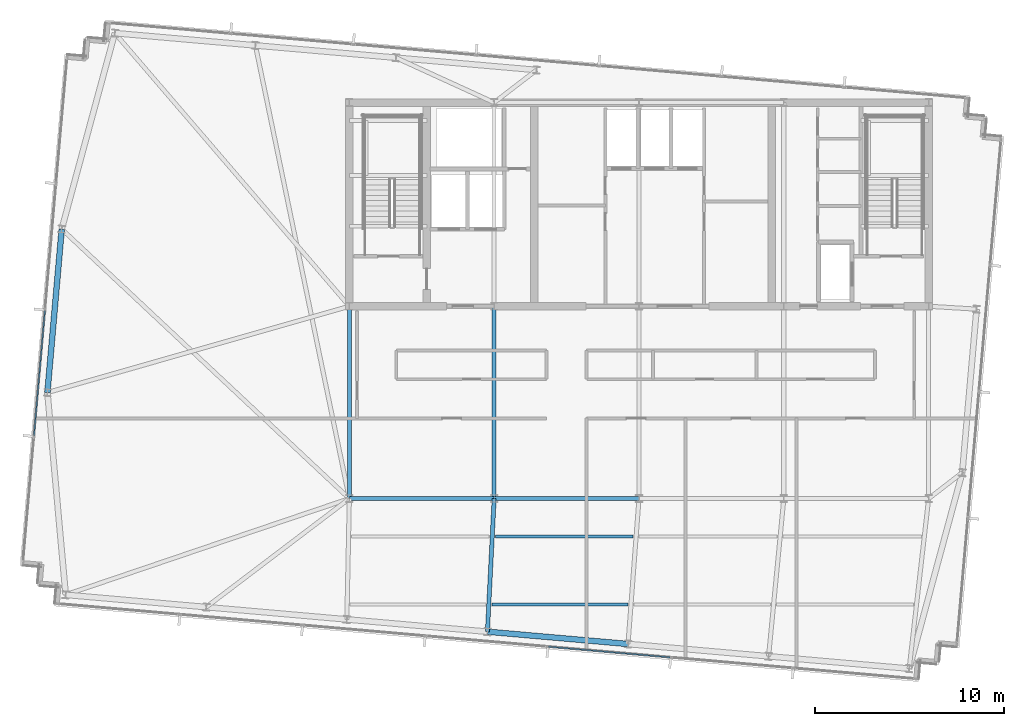
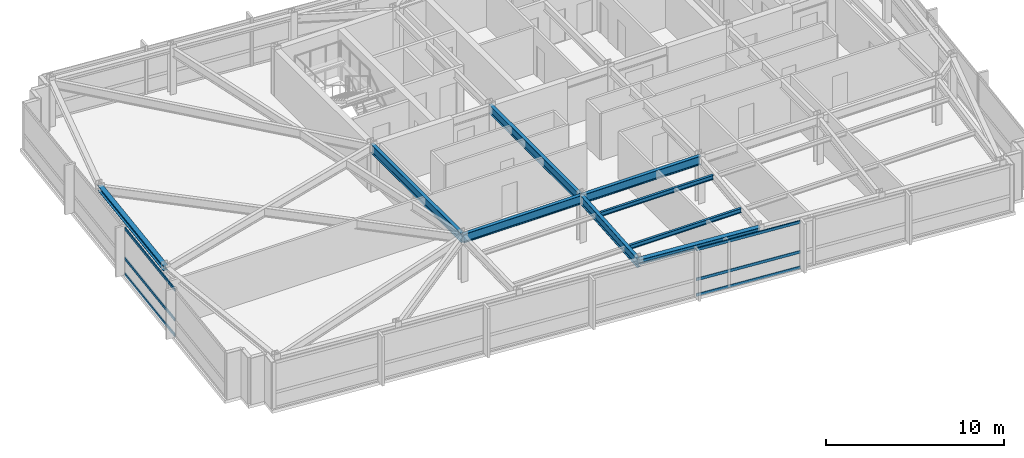
# One storey, part 5 of 24: 9 beams, 6 members, 2 elements without a shape of their own.
"""IFC4 building model written with IfcOpenShell, lengths in metres."""

from ifc_helpers import new_model, si_unit, direction, frame, origin, origin_2d, place, context, subcontext, project, spatial, hollow_rectangle, i_section, extrude, material, material_profile, profile_set, type_object, element, aggregate, save


model = new_model("IFC4")

# Units and contexts
model_context = context("Model", 3, precision=1e-05, world=origin(), true_north=direction((0.0, 1.0)))
body_context = subcontext(model_context, "Body", "Model", "MODEL_VIEW")
ifc_project = project(units=[si_unit("LENGTHUNIT", "METRE"), si_unit("AREAUNIT", "SQUARE_METRE"), si_unit("VOLUMEUNIT", "CUBIC_METRE"), si_unit("PLANEANGLEUNIT", "RADIAN"), si_unit("MASSUNIT", "GRAM", prefix="KILO")], contexts=[model_context])

# Site, building, storey
site_placement = place(None, origin())
site = spatial("IfcSite", under=ifc_project, at=site_placement, CompositionType="ELEMENT")
building_placement = place(site_placement, origin())
building = spatial("IfcBuilding", under=site, at=building_placement, Name="Yelkora Congress Tower", CompositionType="ELEMENT")
storey_placement = place(building_placement, frame((0.0, 0.0, 296.5)))
storey = spatial("IfcBuildingStorey", under=building, at=storey_placement, Name="L83", CompositionType="ELEMENT", Elevation=296.5)

# Beams
ifc_material_1 = material(Name="Steel S355J2", Category="steel")
ifc_material_profile_1 = material_profile(ifc_material_1, i_section(OverallWidth=0.219970703125, OverallDepth=0.60009765625, WebThickness=0.011962890625, FlangeThickness=0.01904296875, FilletRadius=0.02392578125, at=origin_2d()), Name="IPE 600")
ifc_profile_set_1 = profile_set([ifc_material_profile_1], Name="Steel S355J2")
beam_type_1 = type_object("IfcBeamType", Name="BM-GIRD-IPE600", PredefinedType="BEAM", material=ifc_profile_set_1)
for number, where, z_axis, x_axis, name in (
    (1, (23.0400390625, 25.199951171875, 2.8798828125), (1.0, 0.0, 0.0), (0.0, 1.0, 0.0), "L83 Spine Grid D Girder 1"),
    (2, (30.719970703125, 25.199951171875, 2.8798828125), (1.0, 0.0, 0.0), (0.0, 1.0, 0.0), "L83 Spine Grid D Girder 2"),
):
    element("IfcBeam", number, at=place(storey_placement, frame(where, z_axis=z_axis, x_axis=x_axis)), inside=storey, type_object=beam_type_1, Name=name, PredefinedType="BEAM", context=body_context, shape_type="SweptSolid", body=[
        extrude(i_section(OverallWidth=0.219970703125, OverallDepth=0.60009765625, WebThickness=0.011962890625, FlangeThickness=0.01904296875, FilletRadius=0.02392578125, at=origin_2d()), origin(), (0.0, 0.0, 1.0), 7.679931640625),
    ])
for number, where, z_axis, x_axis, name in (
    (3, (23.0400390625, 25.199951171875, 2.8798828125), (0.0, 1.0, 0.0), (-1.0, 0.0, 0.0), "L83 Core Tie Girder MC-D1"),
    (4, (30.719970703125, 25.199951171875, 2.8798828125), (0.0, 1.0, 0.0), (-1.0, 0.0, 0.0), "L83 Core Tie Girder MC-D2"),
):
    element("IfcBeam", number, at=place(storey_placement, frame(where, z_axis=z_axis, x_axis=x_axis)), inside=storey, type_object=beam_type_1, Name=name, PredefinedType="BEAM", context=body_context, shape_type="SweptSolid", body=[
        extrude(i_section(OverallWidth=0.219970703125, OverallDepth=0.60009765625, WebThickness=0.011962890625, FlangeThickness=0.01904296875, FilletRadius=0.02392578125, at=origin_2d()), origin(), (0.0, 0.0, 1.0), 10.199951171875),
    ])
beam_1_placement = place(storey_placement, frame((30.362548828125, 18.14111328125, 2.8798828125), z_axis=(0.050569876836, 0.998720525251, 0.0), x_axis=(-0.998720525251, 0.050569876836, 0.0)))
element("IfcBeam", 5, at=beam_1_placement, inside=storey, type_object=beam_type_1, Name="L83 Primary Frame Girder S04", PredefinedType="BEAM", context=body_context, shape_type="SweptSolid", body=[
    extrude(i_section(OverallWidth=0.219970703125, OverallDepth=0.60009765625, WebThickness=0.011962890625, FlangeThickness=0.01904296875, FilletRadius=0.02392578125, at=origin_2d()), origin(), (0.0, 0.0, 1.0), 7.06787109375),
])
ifc_material_profile_2 = material_profile(ifc_material_1, i_section(OverallWidth=0.14990234375, OverallDepth=0.300048828125, WebThickness=0.007080078125, FlangeThickness=0.0107421875, FilletRadius=0.014892578125, at=origin_2d()), Name="IPE 300")
ifc_profile_set_2 = profile_set([ifc_material_profile_2], Name="Steel S355J2")
beam_type_2 = type_object("IfcBeamType", Name="BM-JOIST-IPE300", PredefinedType="JOIST", material=ifc_profile_set_2)
beam_2_placement = place(storey_placement, frame((30.595703125, 19.58447265625, 3.030029296875), z_axis=(1.0, 0.0, 0.0), x_axis=(0.0, 1.0, 0.0)))
element("IfcBeam", 6, at=beam_2_placement, inside=storey, type_object=beam_type_2, Name="L83 Composite Floor Joist 2", PredefinedType="JOIST", context=body_context, shape_type="SweptSolid", body=[
    extrude(i_section(OverallWidth=0.14990234375, OverallDepth=0.300048828125, WebThickness=0.007080078125, FlangeThickness=0.0107421875, FilletRadius=0.014892578125, at=origin_2d()), origin(), (0.0, 0.0, 1.0), 7.219970703125),
])
beam_3_placement = place(storey_placement, frame((30.778076171875, 23.1845703125, 3.030029296875), z_axis=(1.0, 0.0, 0.0), x_axis=(0.0, 1.0, 0.0)))
element("IfcBeam", 7, at=beam_3_placement, inside=storey, type_object=beam_type_2, Name="L83 Composite Floor Joist 6", PredefinedType="JOIST", context=body_context, shape_type="SweptSolid", body=[
    extrude(i_section(OverallWidth=0.14990234375, OverallDepth=0.300048828125, WebThickness=0.007080078125, FlangeThickness=0.0107421875, FilletRadius=0.014892578125, at=origin_2d()), origin(), (0.0, 0.0, 1.0), 7.3095703125),
])
ifc_material_profile_3 = material_profile(ifc_material_1, i_section(OverallWidth=0.300048828125, OverallDepth=0.340087890625, WebThickness=0.011962890625, FlangeThickness=0.021484375, FilletRadius=0.027099609375, at=origin_2d()), Name="HEB 340")
ifc_profile_set_3 = profile_set([ifc_material_profile_3], Name="Steel S355J2")
beam_type_3 = type_object("IfcBeamType", Name="BM-SPAN-HEB340", PredefinedType="SPANDREL", material=ifc_profile_set_3)
beam_4_placement = place(storey_placement, frame((30.362548828125, 18.14111328125, 3.010009765625), z_axis=(0.99619601894, -0.087140644067, 0.0), x_axis=(0.087140644067, 0.99619601894, 0.0)))
element("IfcBeam", 8, at=beam_4_placement, inside=storey, type_object=beam_type_3, Name="L83 Perimeter Beam 4", PredefinedType="SPANDREL", context=body_context, shape_type="SweptSolid", body=[
    extrude(i_section(OverallWidth=0.300048828125, OverallDepth=0.340087890625, WebThickness=0.011962890625, FlangeThickness=0.021484375, FilletRadius=0.027099609375, at=origin_2d()), origin(), (0.0, 0.0, 1.0), 7.4833984375),
])
beam_5_placement = place(storey_placement, frame((7.787353515625, 39.489990234375, 3.010009765625), z_axis=(-0.08715998813, -0.99619432666, 0.0), x_axis=(0.99619432666, -0.08715998813, 0.0)))
element("IfcBeam", 9, at=beam_5_placement, inside=storey, type_object=beam_type_3, Name="L83 Perimeter Beam 14", PredefinedType="SPANDREL", context=body_context, shape_type="SweptSolid", body=[
    extrude(i_section(OverallWidth=0.300048828125, OverallDepth=0.340087890625, WebThickness=0.011962890625, FlangeThickness=0.021484375, FilletRadius=0.027099609375, at=origin_2d()), origin(), (0.0, 0.0, 1.0), 8.7001953125),
])

# Curtain wall, members
ifc_material_2 = material(Name="Anodised aluminium and insulated glass", Category="aluminium")
curtain_wall_type = type_object("IfcCurtainWallType", Name="CW-SYS-SKY", PredefinedType="NOTDEFINED", material=ifc_material_2)
curtain_wall_1_placement = place(storey_placement, origin())
curtain_wall_1 = element("IfcCurtainWall", 10, at=curtain_wall_1_placement, inside=storey, type_object=curtain_wall_type, Name="L83 Unitised Curtain Wall 5", PredefinedType="NOTDEFINED")
ifc_material_3 = material(Name="Anodised aluminium 6063-T6", Category="aluminium")
ifc_material_profile_4 = material_profile(ifc_material_3, hollow_rectangle(XDim=0.070068359375, YDim=0.18994140625, WallThickness=0.00390625, at=origin_2d()), Name="ALU 70x190x4")
ifc_profile_set_4 = profile_set([ifc_material_profile_4], Name="Anodised aluminium 6063-T6")
member_type = type_object("IfcMemberType", Name="MEM-TR-SKY", PredefinedType="USERDEFINED", material=ifc_profile_set_4)
member_1_placement = place(storey_placement, frame((6.31689453125, 28.533935546875, 0.034912109375), z_axis=(0.08716467486, 0.996193916593, 0.0), x_axis=(-0.996193916593, 0.08716467486, 0.0)))
member_1 = element("IfcMember", 11, at=member_1_placement, type_object=member_type, Name="CW-SKY transom 2.1", ObjectType="TRANSOM", PredefinedType="USERDEFINED", context=body_context, shape_type="SweptSolid", body=[
    extrude(hollow_rectangle(XDim=0.070068359375, YDim=0.18994140625, WallThickness=0.00390625, at=origin_2d()), origin(), (0.0, 0.0, 1.0), 6.655029296875),
])
member_2_placement = place(storey_placement, frame((6.31689453125, 28.533935546875, 1.10009765625), z_axis=(0.08716467486, 0.996193916593, 0.0), x_axis=(-0.996193916593, 0.08716467486, 0.0)))
member_2 = element("IfcMember", 12, at=member_2_placement, type_object=member_type, Name="CW-SKY transom 2.2", ObjectType="TRANSOM", PredefinedType="USERDEFINED", context=body_context, shape_type="SweptSolid", body=[
    extrude(hollow_rectangle(XDim=0.070068359375, YDim=0.18994140625, WallThickness=0.00390625, at=origin_2d()), origin(), (0.0, 0.0, 1.0), 6.655029296875),
])
member_3_placement = place(storey_placement, frame((6.31689453125, 28.533935546875, 3.14501953125), z_axis=(0.08716467486, 0.996193916593, 0.0), x_axis=(-0.996193916593, 0.08716467486, 0.0)))
member_3 = element("IfcMember", 13, at=member_3_placement, type_object=member_type, Name="CW-SKY transom 2.3", ObjectType="TRANSOM", PredefinedType="USERDEFINED", context=body_context, shape_type="SweptSolid", body=[
    extrude(hollow_rectangle(XDim=0.070068359375, YDim=0.18994140625, WallThickness=0.00390625, at=origin_2d()), origin(), (0.0, 0.0, 1.0), 6.655029296875),
])
aggregate(curtain_wall_1, [member_1, member_2, member_3])

curtain_wall_2_placement = place(storey_placement, origin())
curtain_wall_2 = element("IfcCurtainWall", 14, at=curtain_wall_2_placement, inside=storey, type_object=curtain_wall_type, Name="L83 Unitised Curtain Wall 20", PredefinedType="NOTDEFINED")
member_4_placement = place(storey_placement, frame((40.04052734375, 16.782470703125, 0.034912109375), z_axis=(-0.996194045855, 0.087163197529, 0.0), x_axis=(-0.087163197529, -0.996194045855, 0.0)))
member_4 = element("IfcMember", 15, at=member_4_placement, type_object=member_type, Name="CW-SKY transom 3.1", ObjectType="TRANSOM", PredefinedType="USERDEFINED", context=body_context, shape_type="SweptSolid", body=[
    extrude(hollow_rectangle(XDim=0.070068359375, YDim=0.18994140625, WallThickness=0.00390625, at=origin_2d()), origin(), (0.0, 0.0, 1.0), 6.456298828125),
])
member_5_placement = place(storey_placement, frame((40.04052734375, 16.782470703125, 1.10009765625), z_axis=(-0.996194045855, 0.087163197529, 0.0), x_axis=(-0.087163197529, -0.996194045855, 0.0)))
member_5 = element("IfcMember", 16, at=member_5_placement, type_object=member_type, Name="CW-SKY transom 3.2", ObjectType="TRANSOM", PredefinedType="USERDEFINED", context=body_context, shape_type="SweptSolid", body=[
    extrude(hollow_rectangle(XDim=0.070068359375, YDim=0.18994140625, WallThickness=0.00390625, at=origin_2d()), origin(), (0.0, 0.0, 1.0), 6.456298828125),
])
member_6_placement = place(storey_placement, frame((40.04052734375, 16.782470703125, 3.14501953125), z_axis=(-0.996194045855, 0.087163197529, 0.0), x_axis=(-0.087163197529, -0.996194045855, 0.0)))
member_6 = element("IfcMember", 17, at=member_6_placement, type_object=member_type, Name="CW-SKY transom 3.3", ObjectType="TRANSOM", PredefinedType="USERDEFINED", context=body_context, shape_type="SweptSolid", body=[
    extrude(hollow_rectangle(XDim=0.070068359375, YDim=0.18994140625, WallThickness=0.00390625, at=origin_2d()), origin(), (0.0, 0.0, 1.0), 6.456298828125),
])
aggregate(curtain_wall_2, [member_4, member_5, member_6])

save(model, "model.ifc")
